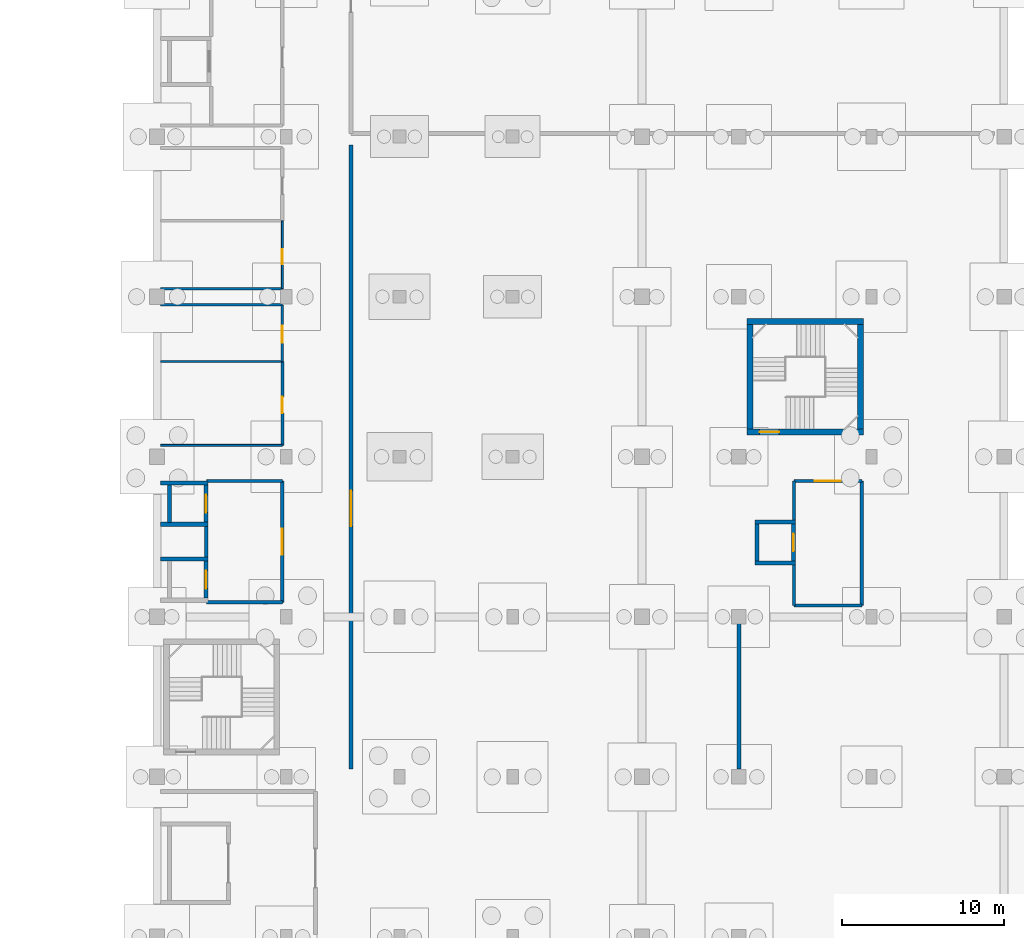
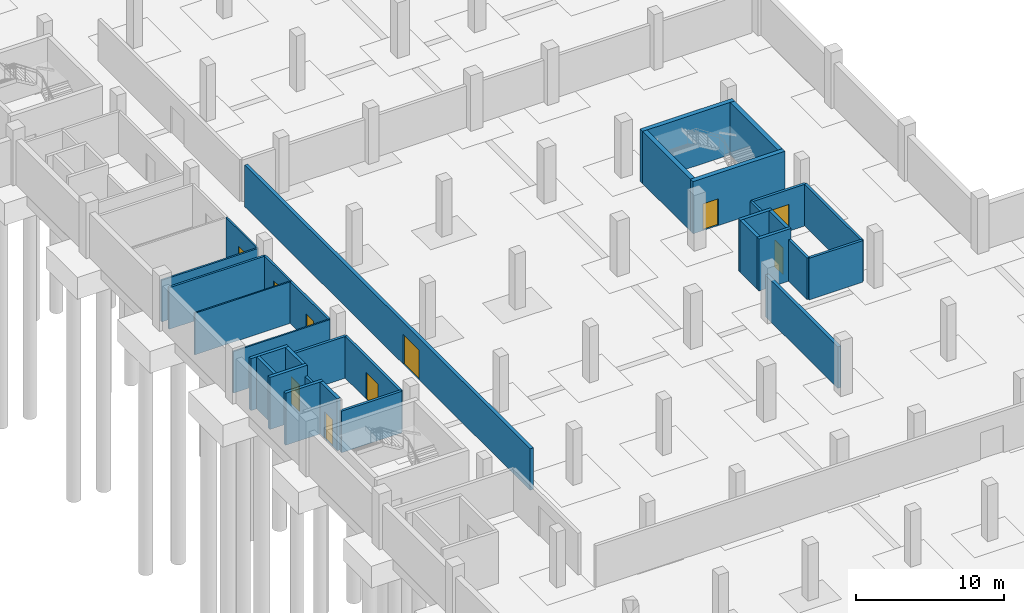
# One storey, part 14 of 30: 32 walls, 10 doors, 10 openings.
"""IFC4 building model written with IfcOpenShell, lengths in metres."""

import ifcopenshell
import ifcopenshell.guid

model = None  # the IFC model being written
_history = None  # IfcOwnerHistory: only IFC2X3 demands one
_inside = {}  # id of a spatial element -> (the spatial element, [elements in it])
_under = {}  # id of a project, library or spatial element -> (it, [spatial elements below it])
_declared = {}  # id of a project -> (the project, [libraries it declares])
_typed = {}  # id of a type object -> (the type object, [elements of that type])
_made_of = {}  # id of a material, layer set ... -> (it, [elements and type objects made of it])


def new_model(schema):
    """Start an empty IFC model of exactly this schema.

    Asked for "IFC4X3", IfcOpenShell would pick the latest addendum, in which some entities
    have other attributes; the version numbers below select the first issue.
    IFC2X3 requires an IfcOwnerHistory on every rooted entity: one is made here for all.
    """
    global model, _history
    if schema == "IFC4X3":
        model = ifcopenshell.file(schema_version=(4, 3, 0, 0))
    else:
        model = ifcopenshell.file(schema=schema)
    _inside.clear()
    _under.clear()
    _declared.clear()
    _typed.clear()
    _made_of.clear()
    _history = None
    if model.schema == "IFC2X3":
        org = make("IfcOrganization", Name="unknown")
        user = make(
            "IfcPersonAndOrganization",
            ThePerson=make("IfcPerson", FamilyName="unknown"),
            TheOrganization=org,
        )
        app = make(
            "IfcApplication",
            ApplicationDeveloper=org,
            Version="unknown",
            ApplicationFullName="unknown",
            ApplicationIdentifier="unknown",
        )
        _history = make(
            "IfcOwnerHistory",
            OwningUser=user,
            OwningApplication=app,
            ChangeAction="ADDED",
            CreationDate=0,
        )
    return model


def make(cls, **values):
    """One entity of the class cls with the attributes given. An attribute that is None is left unset."""
    return model.create_entity(
        cls, **{name: value for name, value in values.items() if value is not None}
    )


def rooted(cls, **values):
    """An entity with a GlobalId (a new one), such as an element, a storey or a relation."""
    return make(cls, GlobalId=ifcopenshell.guid.new(), OwnerHistory=_history, **values)


def si_unit(unit_type, name, prefix=None):
    """IfcSIUnit, for example si_unit("LENGTHUNIT", "METRE", prefix="MILLI")."""
    return make("IfcSIUnit", UnitType=unit_type, Prefix=prefix, Name=name)


def assignment(units):
    """IfcUnitAssignment: the units of a project."""
    return None if units is None else make("IfcUnitAssignment", Units=units)


def point(xyz):
    """IfcCartesianPoint."""
    return None if xyz is None else make("IfcCartesianPoint", Coordinates=xyz)


def direction(xyz):
    """IfcDirection."""
    return None if xyz is None else make("IfcDirection", DirectionRatios=xyz)


def frame(location, z_axis=None, x_axis=None):
    """IfcAxis2Placement3D, a coordinate frame: its origin and axes. An axis left out is left unset."""
    return make(
        "IfcAxis2Placement3D",
        Location=point(location),
        Axis=direction(z_axis),
        RefDirection=direction(x_axis),
    )


def frame_2d(location, x_axis=None):
    """IfcAxis2Placement2D, a coordinate frame in the plane: its origin and x axis."""
    return make(
        "IfcAxis2Placement2D", Location=point(location), RefDirection=direction(x_axis)
    )


def origin():
    """The frame at (0, 0, 0) with its axes left unset."""
    return frame((0.0, 0.0, 0.0))


def place(relative_to, where):
    """IfcLocalPlacement: puts the frame where relative to a parent placement (None: the world)."""
    return make(
        "IfcLocalPlacement", PlacementRelTo=relative_to, RelativePlacement=where
    )


def context(
    kind, dimensions, precision=None, world=None, true_north=None, identifier=None
):
    """IfcGeometricRepresentationContext, for example the 3D "Model" context."""
    return make(
        "IfcGeometricRepresentationContext",
        ContextIdentifier=identifier,
        ContextType=kind,
        CoordinateSpaceDimension=dimensions,
        Precision=precision,
        WorldCoordinateSystem=world,
        TrueNorth=true_north,
    )


def subcontext(parent, identifier, kind, view, scale=None):
    """IfcGeometricRepresentationSubContext, for example "Body" below "Model"."""
    return make(
        "IfcGeometricRepresentationSubContext",
        ContextIdentifier=identifier,
        ContextType=kind,
        ParentContext=parent,
        TargetScale=scale,
        TargetView=view,
    )


def project(units=None, contexts=None):
    """IfcProject with its units and contexts."""
    return rooted(
        "IfcProject",
        Name="project",
        RepresentationContexts=contexts,
        UnitsInContext=assignment(units),
    )


def spatial(cls, under=None, at=None, **own):
    """A site, building, storey or space (cls), placed at a placement, below another one or the project."""
    s = rooted(cls, ObjectPlacement=at, **own)
    if under is not None:
        _under.setdefault(under.id(), (under, []))[1].append(s)
    return s


def profile(cls, at=None, kind="AREA", **sizes):
    """A parametric profile (cls). Its sizes go by their IFC names, for example OverallWidth=200.0."""
    return make(cls, ProfileType=kind, Position=at, **sizes)


def rectangle(**sizes):
    """IfcRectangleProfileDef."""
    return profile("IfcRectangleProfileDef", **sizes)


def extrude(swept, where, along, depth):
    """IfcExtrudedAreaSolid: the profile swept, set in the frame where, extruded along a direction by depth."""
    return make(
        "IfcExtrudedAreaSolid",
        SweptArea=swept,
        Position=where,
        ExtrudedDirection=direction(along),
        Depth=depth,
    )


def shape(context_of_items, identifier, shape_type, items):
    """IfcShapeRepresentation: the items that make up one representation, for example the "Body"."""
    return make(
        "IfcShapeRepresentation",
        ContextOfItems=context_of_items,
        RepresentationIdentifier=identifier,
        RepresentationType=shape_type,
        Items=items,
    )


def material(Name=None, Category=None):
    """IfcMaterial."""
    return make("IfcMaterial", Name=Name, Category=Category)


def layer(
    of_material, thickness, ventilated=None, Name=None, Category=None, Priority=None
):
    """IfcMaterialLayer: one layer of a wall or slab, of a material (None: an air gap)."""
    return make(
        "IfcMaterialLayer",
        Material=of_material,
        LayerThickness=thickness,
        IsVentilated=ventilated,
        Name=Name,
        Category=Category,
        Priority=Priority,
    )


def layer_set(layers, Name=None):
    """IfcMaterialLayerSet."""
    return make("IfcMaterialLayerSet", MaterialLayers=layers, LayerSetName=Name)


def made_of(thing, what):
    """Note that an element or type object is made of a material, layer set ...; save() writes the relation."""
    if what is not None:
        _made_of.setdefault(what.id(), (what, []))[1].append(thing)
    return thing


def type_object(cls, material=None, **own):
    """A type object (cls), such as IfcWallType, which elements share."""
    return made_of(rooted(cls, **own), material)


def element(
    cls,
    number,
    at=None,
    inside=None,
    cuts=None,
    type_object=None,
    material=None,
    context=None,
    identifier="Body",
    shape_type=None,
    held_by="IfcProductDefinitionShape",
    body=None,
    shapes=None,
    **own,
):
    """One element of the class cls, such as IfcWall. Its Tag is "e" and its number.

    at: its placement. inside: the storey or other place that contains it. cuts: it is an
    opening in that element (IfcRelVoidsElement). A single representation is given by context,
    identifier, shape_type and body (its items); several are given by shapes. held_by: the class
    of the entity that holds the representations. save() writes the other relations.
    """
    e = rooted(cls, Tag="e%d" % number, ObjectPlacement=at, **own)
    if body is not None:
        shapes = [shape(context, identifier, shape_type, body)]
    if shapes is not None:
        e.Representation = make(held_by, Representations=shapes)
    if inside is not None:
        _inside.setdefault(inside.id(), (inside, []))[1].append(e)
    if cuts is not None:
        rooted(
            "IfcRelVoidsElement", RelatingBuildingElement=cuts, RelatedOpeningElement=e
        )
    if type_object is not None:
        _typed.setdefault(type_object.id(), (type_object, []))[1].append(e)
    return made_of(e, material)


def fill(opening, filler):
    """IfcRelFillsElement: the door or window that sits in an opening."""
    return rooted(
        "IfcRelFillsElement",
        RelatingOpeningElement=opening,
        RelatedBuildingElement=filler,
    )


def aggregate(whole, parts):
    """IfcRelAggregates: a whole, such as a stair, and the parts it consists of."""
    return rooted("IfcRelAggregates", RelatingObject=whole, RelatedObjects=parts)


def save(model, path):
    """Write the relations noted so far, then the file.

    IfcRelAggregates (storeys below a building ...), IfcRelContainedInSpatialStructure (elements
    in a storey), IfcRelDefinesByType, IfcRelAssociatesMaterial and IfcRelDeclares: one each for
    every whole, place, type object, material and project.
    """
    for whole, parts in _under.values():
        aggregate(whole, parts)
    for where, things in _inside.values():
        rooted(
            "IfcRelContainedInSpatialStructure",
            RelatedElements=things,
            RelatingStructure=where,
        )
    for kind, things in _typed.values():
        rooted("IfcRelDefinesByType", RelatedObjects=things, RelatingType=kind)
    for what, things in _made_of.values():
        rooted("IfcRelAssociatesMaterial", RelatedObjects=things, RelatingMaterial=what)
    for by, libraries in _declared.values():
        rooted("IfcRelDeclares", RelatingContext=by, RelatedDefinitions=libraries)
    model.write(path)


model = new_model("IFC4")

# Units and contexts
model_context = context("Model", 3, precision=1e-05, world=origin(), true_north=direction((0.0, 1.0)))
body_context = subcontext(model_context, "Body", "Model", "MODEL_VIEW")
ifc_project = project(units=[si_unit("LENGTHUNIT", "METRE"), si_unit("AREAUNIT", "SQUARE_METRE"), si_unit("VOLUMEUNIT", "CUBIC_METRE"), si_unit("PLANEANGLEUNIT", "RADIAN"), si_unit("MASSUNIT", "GRAM", prefix="KILO")], contexts=[model_context])

# Site, building, storey
site_placement = place(None, origin())
site = spatial("IfcSite", under=ifc_project, at=site_placement, CompositionType="ELEMENT")
building_placement = place(site_placement, origin())
building = spatial("IfcBuilding", under=site, at=building_placement, Name="Sillaruma Civic Art Gallery", CompositionType="ELEMENT")
storey_placement = place(building_placement, frame((0.0, 0.0, -9.179931640625)))
storey = spatial("IfcBuildingStorey", under=building, at=storey_placement, Name="B02", CompositionType="ELEMENT", Elevation=-9.179931640625)

# Wall, opening, door
ifc_material_1 = material(Name="Concrete H40 (40 MPa)", Category="concrete")
ifc_layer_1 = layer(ifc_material_1, 0.35009765625, Name="Concrete H40 (40 MPa)")
ifc_layer_set_1 = layer_set([ifc_layer_1], Name="Concrete H40 (40 MPa)")
wall_type_1 = type_object("IfcWallType", Name="WAL-CORE-350", PredefinedType="SHEAR", material=ifc_layer_set_1)
wall_1_placement = place(storey_placement, frame((98.510009765625, 51.034912109375, 0.0), z_axis=(0.0, 0.0, 1.0), x_axis=(1.0, 0.0, 0.0)))
wall_1 = element("IfcWall", 1, at=wall_1_placement, inside=storey, type_object=wall_type_1, Name="Stair Core Shear Wall W-CORE-350 (ST-04:B02:S)", PredefinedType="SHEAR", context=body_context, shape_type="SweptSolid", body=[
    extrude(rectangle(XDim=7.179931640625, YDim=0.35009765625, at=frame_2d((3.58984375, 0.0))), origin(), (0.0, 0.0, 1.0), 4.309814453125),
])
opening_1_placement = place(wall_1_placement, frame((0.77001953125, 0.0, 0.0)))
opening_1 = element("IfcOpeningElement", 2, at=opening_1_placement, cuts=wall_1, Name="Opening D-STAIR", PredefinedType="OPENING", context=body_context, shape_type="SweptSolid", body=[
    extrude(rectangle(XDim=1.199951171875, YDim=2.199951171875, at=frame_2d((0.60009765625, 1.10009765625))), frame((0.0, 0.18505859375, 0.0), z_axis=(0.0, -1.0, 0.0), x_axis=(1.0, 0.0, 0.0)), (0.0, 0.0, 1.0), 0.3701171875),
])
ifc_material_2 = material(Name="Galvanised Steel ASTM A653 Gr.50", Category="steel")
door_type_1 = type_object("IfcDoorType", Name="DOR-STAIR-120", OperationType="NOTDEFINED", PredefinedType="DOOR", material=ifc_material_2)
door_1_placement = place(opening_1_placement, origin())
door_1 = element("IfcDoor", 3, at=door_1_placement, inside=storey, type_object=door_type_1, Name="Protected Stair Fire Door (ST-04:B02)", OperationType="SINGLE_SWING_RIGHT", OverallHeight=2.199951171875, OverallWidth=1.199951171875, PredefinedType="DOOR", context=body_context, shape_type="SweptSolid", body=[
    extrude(rectangle(XDim=1.199951171875, YDim=2.199951171875, at=frame_2d((0.60009765625, 1.10009765625))), frame((0.0, 0.02490234375, 0.0), z_axis=(0.0, -1.0, 0.0), x_axis=(1.0, 0.0, 0.0)), (0.0, 0.0, 1.0), 0.050048828125),
])
fill(opening_1, door_1)

# Walls
wall_2_placement = place(storey_placement, frame((98.510009765625, 57.864990234375, 0.0), z_axis=(0.0, 0.0, 1.0), x_axis=(1.0, 0.0, 0.0)))
element("IfcWall", 4, at=wall_2_placement, inside=storey, type_object=wall_type_1, Name="Stair Core Shear Wall W-CORE-350 (ST-04:B02:N)", PredefinedType="SHEAR", context=body_context, shape_type="SweptSolid", body=[
    extrude(rectangle(XDim=7.179931640625, YDim=0.35009765625, at=frame_2d((3.58984375, 0.0))), origin(), (0.0, 0.0, 1.0), 4.309814453125),
])
for number, where, z_axis, x_axis, name in (
    (5, (98.68505859375, 51.2099609375, 0.0), (0.0, 0.0, 1.0), (0.0, 1.0, 0.0), "Stair Core Shear Wall W-CORE-350 (ST-04:B02:W)"),
    (6, (105.514892578125, 51.2099609375, 0.0), (0.0, 0.0, 1.0), (0.0, 1.0, 0.0), "Stair Core Shear Wall W-CORE-350 (ST-04:B02:E)"),
):
    element("IfcWall", number, at=place(storey_placement, frame(where, z_axis=z_axis, x_axis=x_axis)), inside=storey, type_object=wall_type_1, Name=name, PredefinedType="SHEAR", context=body_context, shape_type="SweptSolid", body=[
        extrude(rectangle(XDim=6.47998046875, YDim=0.35009765625, at=frame_2d((3.239990234375, 0.0))), origin(), (0.0, 0.0, 1.0), 4.309814453125),
    ])
ifc_material_3 = material(Name="Concrete Masonry Unit Grade M15", Category="masonry")
ifc_layer_2 = layer(ifc_material_3, 0.199951171875, Name="Concrete Masonry Unit Grade M15")
ifc_layer_set_2 = layer_set([ifc_layer_2], Name="Concrete Masonry Unit Grade M15")
wall_type_2 = type_object("IfcWallType", Name="WAL-LOBBY-200", PredefinedType="SOLIDWALL", material=ifc_layer_set_2)
for number, where, z_axis, x_axis, name in (
    (7, (65.050048828125, 40.5, 0.0), (0.0, 0.0, 1.0), (1.0, 0.0, 0.0), "Interior Wall W-LOBBY-200 (B02-LLW)"),
    (8, (65.050048828125, 48.0, 0.0), (0.0, 0.0, 1.0), (1.0, 0.0, 0.0), "Interior Wall W-LOBBY-200 (B02-LLW)"),
):
    element("IfcWall", number, at=place(storey_placement, frame(where, z_axis=z_axis, x_axis=x_axis)), inside=storey, type_object=wall_type_2, Name=name, PredefinedType="SOLIDWALL", context=body_context, shape_type="SweptSolid", body=[
        extrude(rectangle(XDim=4.699951171875, YDim=0.199951171875, at=frame_2d((2.35009765625, 0.0))), origin(), (0.0, 0.0, 1.0), 3.429931640625),
    ])
wall_3_placement = place(storey_placement, frame((65.050048828125, 43.300048828125, 0.0), z_axis=(0.0, 0.0, 1.0), x_axis=(0.0, 1.0, 0.0)))
element("IfcWall", 9, at=wall_3_placement, inside=storey, type_object=wall_type_2, Name="Interior Wall W-LOBBY-200 (B02-LLW)", PredefinedType="SOLIDWALL", context=body_context, shape_type="SweptSolid", body=[
    extrude(rectangle(XDim=1.89990234375, YDim=0.199951171875, at=frame_2d((0.949951171875, 0.0))), origin(), (0.0, 0.0, 1.0), 3.429931640625),
])

# Wall, opening, door
wall_4_placement = place(storey_placement, frame((69.75, 40.5, 0.0), z_axis=(0.0, 0.0, 1.0), x_axis=(0.0, 1.0, 0.0)))
wall_4 = element("IfcWall", 10, at=wall_4_placement, inside=storey, type_object=wall_type_2, Name="Interior Wall W-LOBBY-200 (B02-LLW)", PredefinedType="SOLIDWALL", context=body_context, shape_type="SweptSolid", body=[
    extrude(rectangle(XDim=7.5, YDim=0.199951171875, at=frame_2d((3.75, 0.0))), origin(), (0.0, 0.0, 1.0), 3.429931640625),
])
opening_2_placement = place(wall_4_placement, frame((2.949951171875, 0.0, 0.0)))
opening_2 = element("IfcOpeningElement", 11, at=opening_2_placement, cuts=wall_4, Name="Opening D-LOBBY", PredefinedType="OPENING", context=body_context, shape_type="SweptSolid", body=[
    extrude(rectangle(XDim=1.60009765625, YDim=2.199951171875, at=frame_2d((0.800048828125, 1.10009765625))), frame((0.0, 0.10986328125, 0.0), z_axis=(0.0, -1.0, 0.0), x_axis=(1.0, 0.0, 0.0)), (0.0, 0.0, 1.0), 0.219970703125),
])
ifc_material_4 = material(Name="Thermally Broken Extruded Aluminium 6063-T6", Category="aluminium")
door_type_2 = type_object("IfcDoorType", Name="DOR-LOBBY-160", OperationType="NOTDEFINED", PredefinedType="DOOR", material=ifc_material_4)
door_2_placement = place(opening_2_placement, origin())
door_2 = element("IfcDoor", 12, at=door_2_placement, inside=storey, type_object=door_type_2, Name="West Lift Lobby Door (D-LOBBY)", OperationType="DOUBLE_DOOR_SINGLE_SWING", OverallHeight=2.199951171875, OverallWidth=1.60009765625, PredefinedType="DOOR", context=body_context, shape_type="SweptSolid", body=[
    extrude(rectangle(XDim=1.60009765625, YDim=2.199951171875, at=frame_2d((0.800048828125, 1.10009765625))), frame((0.0, 0.02490234375, 0.0), z_axis=(0.0, -1.0, 0.0), x_axis=(1.0, 0.0, 0.0)), (0.0, 0.0, 1.0), 0.050048828125),
])
fill(opening_2, door_2)

# Walls
wall_5_placement = place(storey_placement, frame((101.39990234375, 40.300048828125, 0.0), z_axis=(0.0, 0.0, 1.0), x_axis=(1.0, 0.0, 0.0)))
element("IfcWall", 13, at=wall_5_placement, inside=storey, type_object=wall_type_2, Name="Interior Wall W-LOBBY-200 (B02-LLE)", PredefinedType="SOLIDWALL", context=body_context, shape_type="SweptSolid", body=[
    extrude(rectangle(XDim=4.2001953125, YDim=0.199951171875, at=frame_2d((2.10009765625, 0.0))), origin(), (0.0, 0.0, 1.0), 3.429931640625),
])
wall_6_placement = place(storey_placement, frame((101.39990234375, 40.300048828125, 0.0), z_axis=(0.0, 0.0, 1.0), x_axis=(0.0, 1.0, 0.0)))
element("IfcWall", 14, at=wall_6_placement, inside=storey, type_object=wall_type_2, Name="Interior Wall W-LOBBY-200 (B02-LLE)", PredefinedType="SOLIDWALL", context=body_context, shape_type="SweptSolid", body=[
    extrude(rectangle(XDim=2.5, YDim=0.199951171875, at=frame_2d((1.25, 0.0))), origin(), (0.0, 0.0, 1.0), 3.429931640625),
])
wall_7_placement = place(storey_placement, frame((101.39990234375, 45.60009765625, 0.0), z_axis=(0.0, 0.0, 1.0), x_axis=(0.0, 1.0, 0.0)))
element("IfcWall", 15, at=wall_7_placement, inside=storey, type_object=wall_type_2, Name="Interior Wall W-LOBBY-200 (B02-LLE)", PredefinedType="SOLIDWALL", context=body_context, shape_type="SweptSolid", body=[
    extrude(rectangle(XDim=2.39990234375, YDim=0.199951171875, at=frame_2d((1.199951171875, 0.0))), origin(), (0.0, 0.0, 1.0), 3.429931640625),
])
wall_8_placement = place(storey_placement, frame((105.60009765625, 40.300048828125, 0.0), z_axis=(0.0, 0.0, 1.0), x_axis=(0.0, 1.0, 0.0)))
element("IfcWall", 16, at=wall_8_placement, inside=storey, type_object=wall_type_2, Name="Interior Wall W-LOBBY-200 (B02-LLE)", PredefinedType="SOLIDWALL", context=body_context, shape_type="SweptSolid", body=[
    extrude(rectangle(XDim=7.699951171875, YDim=0.199951171875, at=frame_2d((3.85009765625, 0.0))), origin(), (0.0, 0.0, 1.0), 3.429931640625),
])

# Wall, opening, door
wall_9_placement = place(storey_placement, frame((101.39990234375, 48.0, 0.0), z_axis=(0.0, 0.0, 1.0), x_axis=(1.0, 0.0, 0.0)))
wall_9 = element("IfcWall", 17, at=wall_9_placement, inside=storey, type_object=wall_type_2, Name="Interior Wall W-LOBBY-200 (B02-LLE)", PredefinedType="SOLIDWALL", context=body_context, shape_type="SweptSolid", body=[
    extrude(rectangle(XDim=4.2001953125, YDim=0.199951171875, at=frame_2d((2.10009765625, 0.0))), origin(), (0.0, 0.0, 1.0), 3.429931640625),
])
opening_3_placement = place(wall_9_placement, frame((1.300048828125, 0.0, 0.0)))
opening_3 = element("IfcOpeningElement", 18, at=opening_3_placement, cuts=wall_9, Name="Opening D-LOBBY", PredefinedType="OPENING", context=body_context, shape_type="SweptSolid", body=[
    extrude(rectangle(XDim=1.60009765625, YDim=2.199951171875, at=frame_2d((0.800048828125, 1.10009765625))), frame((0.0, 0.10986328125, 0.0), z_axis=(0.0, -1.0, 0.0), x_axis=(1.0, 0.0, 0.0)), (0.0, 0.0, 1.0), 0.219970703125),
])
door_3_placement = place(opening_3_placement, origin())
door_3 = element("IfcDoor", 19, at=door_3_placement, inside=storey, type_object=door_type_2, Name="East Lift Lobby Door (D-LOBBY)", OperationType="DOUBLE_DOOR_SINGLE_SWING", OverallHeight=2.199951171875, OverallWidth=1.60009765625, PredefinedType="DOOR", context=body_context, shape_type="SweptSolid", body=[
    extrude(rectangle(XDim=1.60009765625, YDim=2.199951171875, at=frame_2d((0.800048828125, 1.10009765625))), frame((0.0, 0.02490234375, 0.0), z_axis=(0.0, -1.0, 0.0), x_axis=(1.0, 0.0, 0.0)), (0.0, 0.0, 1.0), 0.050048828125),
])
fill(opening_3, door_3)

# Walls
ifc_material_5 = material(Name="Gypsum Acoustic Board", Category="gypsum")
ifc_layer_3 = layer(ifc_material_5, 0.02490234375, Name="Finish board", Category="gypsum")
ifc_material_6 = material(Name="Mineral Wool Thermal Insulation", Category="insulation")
ifc_layer_4 = layer(ifc_material_6, 0.06005859375, Name="Acoustic core", Category="insulation")
ifc_material_7 = material(Name="Andean Oak Timber", Category="wood")
ifc_layer_5 = layer(ifc_material_7, 0.02490234375, Name="Gallery lining", Category="wood")
ifc_layer_set_3 = layer_set([ifc_layer_3, ifc_layer_4, ifc_layer_5], Name="W-PT-110")
wall_type_3 = type_object("IfcWallType", Name="WAL-PART-110", PredefinedType="PARTITIONING", material=ifc_layer_set_3)
wall_10_placement = place(storey_placement, frame((62.219970703125, 55.39990234375, 0.0), z_axis=(0.0, 0.0, 1.0), x_axis=(1.0, 0.0, 0.0)))
element("IfcWall", 20, at=wall_10_placement, inside=storey, type_object=wall_type_3, Name="Interior Wall W-PT-110 (B02-WC1)", PredefinedType="PARTITIONING", context=body_context, shape_type="SweptSolid", body=[
    extrude(rectangle(XDim=7.530029296875, YDim=0.110107421875, at=frame_2d((3.76513671875, 0.0))), origin(), (0.0, 0.0, 1.0), 3.429931640625),
])
ifc_layer_6 = layer(ifc_material_5, 0.02490234375, Name="Finish board", Category="gypsum")
ifc_layer_7 = layer(ifc_material_6, 0.070068359375, Name="Acoustic core", Category="insulation")
ifc_layer_8 = layer(ifc_material_7, 0.02490234375, Name="Gallery lining", Category="wood")
ifc_layer_set_4 = layer_set([ifc_layer_6, ifc_layer_7, ifc_layer_8], Name="W-PT-120")
wall_type_4 = type_object("IfcWallType", Name="WAL-PART-120", PredefinedType="PARTITIONING", material=ifc_layer_set_4)
wall_11_placement = place(storey_placement, frame((62.219970703125, 50.199951171875, 0.0), z_axis=(0.0, 0.0, 1.0), x_axis=(1.0, 0.0, 0.0)))
element("IfcWall", 21, at=wall_11_placement, inside=storey, type_object=wall_type_4, Name="Interior Wall W-PT-120 (B02-WC1)", PredefinedType="PARTITIONING", context=body_context, shape_type="SweptSolid", body=[
    extrude(rectangle(XDim=7.530029296875, YDim=0.1201171875, at=frame_2d((3.76513671875, 0.0))), origin(), (0.0, 0.0, 1.0), 3.429931640625),
])

# Wall, opening, door
wall_12_placement = place(storey_placement, frame((69.75, 59.89990234375, 0.0), z_axis=(0.0, 0.0, 1.0), x_axis=(0.0, 1.0, 0.0)))
wall_12 = element("IfcWall", 22, at=wall_12_placement, inside=storey, type_object=wall_type_4, Name="Interior Wall W-PT-120 (B02-CLN)", PredefinedType="PARTITIONING", context=body_context, shape_type="SweptSolid", body=[
    extrude(rectangle(XDim=4.2001953125, YDim=0.1201171875, at=frame_2d((2.10009765625, 0.0))), origin(), (0.0, 0.0, 1.0), 3.429931640625),
])
opening_4_placement = place(wall_12_placement, frame((1.5, 0.0, 0.0)))
opening_4 = element("IfcOpeningElement", 23, at=opening_4_placement, cuts=wall_12, Name="Opening D-SVC09", PredefinedType="OPENING", context=body_context, shape_type="SweptSolid", body=[
    extrude(rectangle(XDim=0.949951171875, YDim=2.10009765625, at=frame_2d((0.47509765625, 1.050048828125))), frame((0.0, 0.070068359375, 0.0), z_axis=(0.0, -1.0, 0.0), x_axis=(1.0, 0.0, 0.0)), (0.0, 0.0, 1.0), 0.14013671875),
])
door_type_3 = type_object("IfcDoorType", Name="DOR-SVC-095", OperationType="NOTDEFINED", PredefinedType="DOOR", material=ifc_material_7)
door_4_placement = place(opening_4_placement, origin())
door_4 = element("IfcDoor", 24, at=door_4_placement, inside=storey, type_object=door_type_3, Name="Cleaner Store Door (D-SVC09)", OperationType="SINGLE_SWING_RIGHT", OverallHeight=2.10009765625, OverallWidth=0.949951171875, PredefinedType="DOOR", context=body_context, shape_type="SweptSolid", body=[
    extrude(rectangle(XDim=0.949951171875, YDim=2.10009765625, at=frame_2d((0.47509765625, 1.050048828125))), frame((0.0, 0.02490234375, 0.0), z_axis=(0.0, -1.0, 0.0), x_axis=(1.0, 0.0, 0.0)), (0.0, 0.0, 1.0), 0.050048828125),
])
fill(opening_4, door_4)

# Wall
ifc_layer_9 = layer(ifc_material_5, 0.02490234375, Name="Finish board", Category="gypsum")
ifc_layer_10 = layer(ifc_material_6, 0.090087890625, Name="Acoustic core", Category="insulation")
ifc_layer_11 = layer(ifc_material_7, 0.02490234375, Name="Gallery lining", Category="wood")
ifc_layer_set_5 = layer_set([ifc_layer_9, ifc_layer_10, ifc_layer_11], Name="W-PT-140")
wall_type_5 = type_object("IfcWallType", Name="WAL-PART-140", PredefinedType="PARTITIONING", material=ifc_layer_set_5)
wall_13_placement = place(storey_placement, frame((62.219970703125, 59.89990234375, 0.0), z_axis=(0.0, 0.0, 1.0), x_axis=(1.0, 0.0, 0.0)))
element("IfcWall", 25, at=wall_13_placement, inside=storey, type_object=wall_type_5, Name="Interior Wall W-PT-140 (B02-CLN)", PredefinedType="PARTITIONING", context=body_context, shape_type="SweptSolid", body=[
    extrude(rectangle(XDim=7.530029296875, YDim=0.139892578125, at=frame_2d((3.76513671875, 0.0))), origin(), (0.0, 0.0, 1.0), 3.429931640625),
])

# Wall, opening, door
ifc_layer_12 = layer(ifc_material_5, 0.02490234375, Name="Finish board", Category="gypsum")
ifc_layer_13 = layer(ifc_material_6, 0.10009765625, Name="Acoustic core", Category="insulation")
ifc_layer_14 = layer(ifc_material_7, 0.02490234375, Name="Gallery lining", Category="wood")
ifc_layer_set_6 = layer_set([ifc_layer_12, ifc_layer_13, ifc_layer_14], Name="W-PT-150")
wall_type_6 = type_object("IfcWallType", Name="WAL-PART-150", PredefinedType="PARTITIONING", material=ifc_layer_set_6)
wall_14_placement = place(storey_placement, frame((69.75, 55.39990234375, 0.0), z_axis=(0.0, 0.0, 1.0), x_axis=(0.0, 1.0, 0.0)))
wall_14 = element("IfcWall", 26, at=wall_14_placement, inside=storey, type_object=wall_type_6, Name="Interior Wall W-PT-150 (B02-WCA)", PredefinedType="PARTITIONING", context=body_context, shape_type="SweptSolid", body=[
    extrude(rectangle(XDim=3.5, YDim=0.14990234375, at=frame_2d((1.75, 0.0))), origin(), (0.0, 0.0, 1.0), 3.429931640625),
])
opening_5_placement = place(wall_14_placement, frame((1.14990234375, 0.0, 0.0)))
opening_5 = element("IfcOpeningElement", 27, at=opening_5_placement, cuts=wall_14, Name="Opening D-AWC10", PredefinedType="OPENING", context=body_context, shape_type="SweptSolid", body=[
    extrude(rectangle(XDim=1.050048828125, YDim=2.14990234375, at=frame_2d((0.52490234375, 1.074951171875))), frame((0.0, 0.0849609375, 0.0), z_axis=(0.0, -1.0, 0.0), x_axis=(1.0, 0.0, 0.0)), (0.0, 0.0, 1.0), 0.169921875),
])
door_type_4 = type_object("IfcDoorType", Name="DOR-AWC-105", OperationType="NOTDEFINED", PredefinedType="DOOR", material=ifc_material_7)
door_5_placement = place(opening_5_placement, origin())
door_5 = element("IfcDoor", 28, at=door_5_placement, inside=storey, type_object=door_type_4, Name="Accessible WC Door (D-AWC10)", OperationType="SINGLE_SWING_LEFT", OverallHeight=2.14990234375, OverallWidth=1.050048828125, PredefinedType="DOOR", context=body_context, shape_type="SweptSolid", body=[
    extrude(rectangle(XDim=1.050048828125, YDim=2.14990234375, at=frame_2d((0.52490234375, 1.074951171875))), frame((0.0, 0.02490234375, 0.0), z_axis=(0.0, -1.0, 0.0), x_axis=(1.0, 0.0, 0.0)), (0.0, 0.0, 1.0), 0.050048828125),
])
fill(opening_5, door_5)

# Wall
ifc_layer_15 = layer(ifc_material_5, 0.02490234375, Name="Finish board", Category="gypsum")
ifc_layer_16 = layer(ifc_material_6, 0.114990234375, Name="Acoustic core", Category="insulation")
ifc_layer_17 = layer(ifc_material_7, 0.02490234375, Name="Gallery lining", Category="wood")
ifc_layer_set_7 = layer_set([ifc_layer_15, ifc_layer_16, ifc_layer_17], Name="W-PT-165")
wall_type_7 = type_object("IfcWallType", Name="WAL-PART-165", PredefinedType="PARTITIONING", material=ifc_layer_set_7)
wall_15_placement = place(storey_placement, frame((62.219970703125, 58.89990234375, 0.0), z_axis=(0.0, 0.0, 1.0), x_axis=(1.0, 0.0, 0.0)))
element("IfcWall", 29, at=wall_15_placement, inside=storey, type_object=wall_type_7, Name="Interior Wall W-PT-165 (B02-WCA)", PredefinedType="PARTITIONING", context=body_context, shape_type="SweptSolid", body=[
    extrude(rectangle(XDim=7.530029296875, YDim=0.1650390625, at=frame_2d((3.76513671875, 0.0))), origin(), (0.0, 0.0, 1.0), 3.429931640625),
])

# Wall, opening, door
ifc_layer_18 = layer(ifc_material_5, 0.02490234375, Name="Finish board", Category="gypsum")
ifc_layer_19 = layer(ifc_material_6, 0.1298828125, Name="Acoustic core", Category="insulation")
ifc_layer_20 = layer(ifc_material_7, 0.02490234375, Name="Gallery lining", Category="wood")
ifc_layer_set_8 = layer_set([ifc_layer_18, ifc_layer_19, ifc_layer_20], Name="W-PT-180")
wall_type_8 = type_object("IfcWallType", Name="WAL-PART-180", PredefinedType="PARTITIONING", material=ifc_layer_set_8)
wall_16_placement = place(storey_placement, frame((69.75, 50.199951171875, 0.0), z_axis=(0.0, 0.0, 1.0), x_axis=(0.0, 1.0, 0.0)))
wall_16 = element("IfcWall", 30, at=wall_16_placement, inside=storey, type_object=wall_type_8, Name="Interior Wall W-PT-180 (B02-WC1)", PredefinedType="PARTITIONING", context=body_context, shape_type="SweptSolid", body=[
    extrude(rectangle(XDim=5.199951171875, YDim=0.179931640625, at=frame_2d((2.60009765625, 0.0))), origin(), (0.0, 0.0, 1.0), 3.429931640625),
])
opening_6_placement = place(wall_16_placement, frame((2.0, 0.0, 0.0)))
opening_6 = element("IfcOpeningElement", 31, at=opening_6_placement, cuts=wall_16, Name="Opening D-WC10", PredefinedType="OPENING", context=body_context, shape_type="SweptSolid", body=[
    extrude(rectangle(XDim=1.0, YDim=2.10009765625, at=frame_2d((0.5, 1.050048828125))), frame((0.0, 0.099853515625, 0.0), z_axis=(0.0, -1.0, 0.0), x_axis=(1.0, 0.0, 0.0)), (0.0, 0.0, 1.0), 0.199951171875),
])
door_type_5 = type_object("IfcDoorType", Name="DOR-WC-100", OperationType="NOTDEFINED", PredefinedType="DOOR", material=ifc_material_7)
door_6_placement = place(opening_6_placement, origin())
door_6 = element("IfcDoor", 32, at=door_6_placement, inside=storey, type_object=door_type_5, Name="Public WC Door (D-WC10)", OperationType="SINGLE_SWING_RIGHT", OverallHeight=2.10009765625, OverallWidth=1.0, PredefinedType="DOOR", context=body_context, shape_type="SweptSolid", body=[
    extrude(rectangle(XDim=1.0, YDim=2.10009765625, at=frame_2d((0.5, 1.050048828125))), frame((0.0, 0.02490234375, 0.0), z_axis=(0.0, -1.0, 0.0), x_axis=(1.0, 0.0, 0.0)), (0.0, 0.0, 1.0), 0.050048828125),
])
fill(opening_6, door_6)

# Wall
ifc_layer_21 = layer(ifc_material_1, 0.25, Name="Concrete H40 (40 MPa)")
ifc_layer_set_9 = layer_set([ifc_layer_21], Name="Concrete H40 (40 MPa)")
wall_type_9 = type_object("IfcWallType", Name="WAL-SHAFT-250", PredefinedType="SOLIDWALL", material=ifc_layer_set_9)
wall_17_placement = place(storey_placement, frame((62.219970703125, 43.175048828125, 0.0), z_axis=(0.0, 0.0, 1.0), x_axis=(1.0, 0.0, 0.0)))
element("IfcWall", 33, at=wall_17_placement, inside=storey, type_object=wall_type_9, Name="Lift Shaft Wall W-SHAFT-250 (PL-01:B02:N)", PredefinedType="SOLIDWALL", context=body_context, shape_type="SweptSolid", body=[
    extrude(rectangle(XDim=2.929931640625, YDim=0.25, at=frame_2d((1.46484375, 0.0))), origin(), (0.0, 0.0, 1.0), 4.2900390625),
])

# Wall, opening, door
wall_18_placement = place(storey_placement, frame((65.02490234375, 40.75, 0.0), z_axis=(0.0, 0.0, 1.0), x_axis=(0.0, 1.0, 0.0)))
wall_18 = element("IfcWall", 34, at=wall_18_placement, inside=storey, type_object=wall_type_9, Name="Lift Shaft Wall W-SHAFT-250 (PL-01:B02:E)", PredefinedType="SOLIDWALL", context=body_context, shape_type="SweptSolid", body=[
    extrude(rectangle(XDim=2.300048828125, YDim=0.25, at=frame_2d((1.14990234375, 0.0))), origin(), (0.0, 0.0, 1.0), 4.2900390625),
])
opening_7_placement = place(wall_18_placement, frame((0.60009765625, 0.0, 0.0)))
opening_7 = element("IfcOpeningElement", 35, at=opening_7_placement, cuts=wall_18, Name="Opening LD-01", PredefinedType="OPENING", context=body_context, shape_type="SweptSolid", body=[
    extrude(rectangle(XDim=1.10009765625, YDim=2.199951171875, at=frame_2d((0.550048828125, 1.10009765625))), frame((0.0, 0.135009765625, 0.0), z_axis=(0.0, -1.0, 0.0), x_axis=(1.0, 0.0, 0.0)), (0.0, 0.0, 1.0), 0.27001953125),
])
door_type_6 = type_object("IfcDoorType", Name="DOR-LD-01", OperationType="NOTDEFINED", PredefinedType="DOOR", material=ifc_material_2)
door_7_placement = place(opening_7_placement, origin())
door_7 = element("IfcDoor", 36, at=door_7_placement, inside=storey, type_object=door_type_6, Name="Lift Sliding Landing Door LD-01 (PL-01:B02)", OperationType="DOUBLE_DOOR_SLIDING", OverallHeight=2.199951171875, OverallWidth=1.10009765625, PredefinedType="DOOR", context=body_context, shape_type="SweptSolid", body=[
    extrude(rectangle(XDim=1.10009765625, YDim=2.199951171875, at=frame_2d((0.550048828125, 1.10009765625))), frame((0.0, 0.02490234375, 0.0), z_axis=(0.0, -1.0, 0.0), x_axis=(1.0, 0.0, 0.0)), (0.0, 0.0, 1.0), 0.050048828125),
])
fill(opening_7, door_7)

# Walls
for number, where, z_axis, x_axis, name in (
    (37, (62.219970703125, 45.324951171875, 0.0), (0.0, 0.0, 1.0), (1.0, 0.0, 0.0), "Lift Shaft Wall W-SHAFT-250 (PL-02:B02:S)"),
    (38, (62.219970703125, 47.875, 0.0), (0.0, 0.0, 1.0), (1.0, 0.0, 0.0), "Lift Shaft Wall W-SHAFT-250 (PL-02:B02:N)"),
):
    element("IfcWall", number, at=place(storey_placement, frame(where, z_axis=z_axis, x_axis=x_axis)), inside=storey, type_object=wall_type_9, Name=name, PredefinedType="SOLIDWALL", context=body_context, shape_type="SweptSolid", body=[
        extrude(rectangle(XDim=2.929931640625, YDim=0.25, at=frame_2d((1.46484375, 0.0))), origin(), (0.0, 0.0, 1.0), 4.2900390625),
    ])
wall_19_placement = place(storey_placement, frame((62.77490234375, 45.449951171875, 0.0), z_axis=(0.0, 0.0, 1.0), x_axis=(0.0, 1.0, 0.0)))
element("IfcWall", 39, at=wall_19_placement, inside=storey, type_object=wall_type_9, Name="Lift Shaft Wall W-SHAFT-250 (PL-02:B02:W)", PredefinedType="SOLIDWALL", context=body_context, shape_type="SweptSolid", body=[
    extrude(rectangle(XDim=2.300048828125, YDim=0.25, at=frame_2d((1.14990234375, 0.0))), origin(), (0.0, 0.0, 1.0), 4.2900390625),
])

# Wall, opening, door
wall_20_placement = place(storey_placement, frame((65.02490234375, 45.449951171875, 0.0), z_axis=(0.0, 0.0, 1.0), x_axis=(0.0, 1.0, 0.0)))
wall_20 = element("IfcWall", 40, at=wall_20_placement, inside=storey, type_object=wall_type_9, Name="Lift Shaft Wall W-SHAFT-250 (PL-02:B02:E)", PredefinedType="SOLIDWALL", context=body_context, shape_type="SweptSolid", body=[
    extrude(rectangle(XDim=2.300048828125, YDim=0.25, at=frame_2d((1.14990234375, 0.0))), origin(), (0.0, 0.0, 1.0), 4.2900390625),
])
opening_8_placement = place(wall_20_placement, frame((0.60009765625, 0.0, 0.0)))
opening_8 = element("IfcOpeningElement", 41, at=opening_8_placement, cuts=wall_20, Name="Opening LD-01", PredefinedType="OPENING", context=body_context, shape_type="SweptSolid", body=[
    extrude(rectangle(XDim=1.10009765625, YDim=2.199951171875, at=frame_2d((0.550048828125, 1.10009765625))), frame((0.0, 0.135009765625, 0.0), z_axis=(0.0, -1.0, 0.0), x_axis=(1.0, 0.0, 0.0)), (0.0, 0.0, 1.0), 0.27001953125),
])
door_8_placement = place(opening_8_placement, origin())
door_8 = element("IfcDoor", 42, at=door_8_placement, inside=storey, type_object=door_type_6, Name="Lift Sliding Landing Door LD-01 (PL-02:B02)", OperationType="DOUBLE_DOOR_SLIDING", OverallHeight=2.199951171875, OverallWidth=1.10009765625, PredefinedType="DOOR", context=body_context, shape_type="SweptSolid", body=[
    extrude(rectangle(XDim=1.10009765625, YDim=2.199951171875, at=frame_2d((0.550048828125, 1.10009765625))), frame((0.0, 0.02490234375, 0.0), z_axis=(0.0, -1.0, 0.0), x_axis=(1.0, 0.0, 0.0)), (0.0, 0.0, 1.0), 0.050048828125),
])
fill(opening_8, door_8)

# Walls
for number, where, z_axis, x_axis, name in (
    (43, (99.0, 42.925048828125, 0.0), (0.0, 0.0, 1.0), (1.0, 0.0, 0.0), "Lift Shaft Wall W-SHAFT-250 (PL-03:B02:S)"),
    (44, (99.0, 45.47509765625, 0.0), (0.0, 0.0, 1.0), (1.0, 0.0, 0.0), "Lift Shaft Wall W-SHAFT-250 (PL-03:B02:N)"),
):
    element("IfcWall", number, at=place(storey_placement, frame(where, z_axis=z_axis, x_axis=x_axis)), inside=storey, type_object=wall_type_9, Name=name, PredefinedType="SOLIDWALL", context=body_context, shape_type="SweptSolid", body=[
        extrude(rectangle(XDim=2.5, YDim=0.25, at=frame_2d((1.25, 0.0))), origin(), (0.0, 0.0, 1.0), 4.2900390625),
    ])
wall_21_placement = place(storey_placement, frame((99.125, 43.050048828125, 0.0), z_axis=(0.0, 0.0, 1.0), x_axis=(0.0, 1.0, 0.0)))
element("IfcWall", 45, at=wall_21_placement, inside=storey, type_object=wall_type_9, Name="Lift Shaft Wall W-SHAFT-250 (PL-03:B02:W)", PredefinedType="SOLIDWALL", context=body_context, shape_type="SweptSolid", body=[
    extrude(rectangle(XDim=2.300048828125, YDim=0.25, at=frame_2d((1.14990234375, 0.0))), origin(), (0.0, 0.0, 1.0), 4.2900390625),
])

# Wall, opening, door
wall_22_placement = place(storey_placement, frame((101.375, 43.050048828125, 0.0), z_axis=(0.0, 0.0, 1.0), x_axis=(0.0, 1.0, 0.0)))
wall_22 = element("IfcWall", 46, at=wall_22_placement, inside=storey, type_object=wall_type_9, Name="Lift Shaft Wall W-SHAFT-250 (PL-03:B02:E)", PredefinedType="SOLIDWALL", context=body_context, shape_type="SweptSolid", body=[
    extrude(rectangle(XDim=2.300048828125, YDim=0.25, at=frame_2d((1.14990234375, 0.0))), origin(), (0.0, 0.0, 1.0), 4.2900390625),
])
opening_9_placement = place(wall_22_placement, frame((0.60009765625, 0.0, 0.0)))
opening_9 = element("IfcOpeningElement", 47, at=opening_9_placement, cuts=wall_22, Name="Opening LD-01", PredefinedType="OPENING", context=body_context, shape_type="SweptSolid", body=[
    extrude(rectangle(XDim=1.10009765625, YDim=2.199951171875, at=frame_2d((0.550048828125, 1.10009765625))), frame((0.0, 0.135009765625, 0.0), z_axis=(0.0, -1.0, 0.0), x_axis=(1.0, 0.0, 0.0)), (0.0, 0.0, 1.0), 0.27001953125),
])
door_9_placement = place(opening_9_placement, origin())
door_9 = element("IfcDoor", 48, at=door_9_placement, inside=storey, type_object=door_type_6, Name="Lift Sliding Landing Door LD-01 (PL-03:B02)", OperationType="DOUBLE_DOOR_SLIDING", OverallHeight=2.199951171875, OverallWidth=1.10009765625, PredefinedType="DOOR", context=body_context, shape_type="SweptSolid", body=[
    extrude(rectangle(XDim=1.10009765625, YDim=2.199951171875, at=frame_2d((0.550048828125, 1.10009765625))), frame((0.0, 0.02490234375, 0.0), z_axis=(0.0, -1.0, 0.0), x_axis=(1.0, 0.0, 0.0)), (0.0, 0.0, 1.0), 0.050048828125),
])
fill(opening_9, door_9)

ifc_layer_22 = layer(ifc_material_3, 0.2548828125, Name="Concrete Masonry Unit Grade M15")
ifc_layer_set_10 = layer_set([ifc_layer_22], Name="Concrete Masonry Unit Grade M15")
wall_type_10 = type_object("IfcWallType", Name="WAL-STORE-250", PredefinedType="SOLIDWALL", material=ifc_layer_set_10)
wall_23_placement = place(storey_placement, frame((74.0, 30.199951171875, 0.0), z_axis=(0.0, 0.0, 1.0), x_axis=(0.0, 1.0, 0.0)))
wall_23 = element("IfcWall", 49, at=wall_23_placement, inside=storey, type_object=wall_type_10, Name="Interior Wall W-STORE-250 (B02-STRC1)", PredefinedType="SOLIDWALL", context=body_context, shape_type="SweptSolid", body=[
    extrude(rectangle(XDim=38.60009765625, YDim=0.2548828125, at=frame_2d((19.300048828125, 0.0))), origin(), (0.0, 0.0, 1.0), 3.429931640625),
])
opening_10_placement = place(wall_23_placement, frame((15.0, 0.0, 0.0)))
opening_10 = element("IfcOpeningElement", 50, at=opening_10_placement, cuts=wall_23, Name="Opening D-STR22", PredefinedType="OPENING", context=body_context, shape_type="SweptSolid", body=[
    extrude(rectangle(XDim=2.199951171875, YDim=2.449951171875, at=frame_2d((1.10009765625, 1.22509765625))), frame((0.0, 0.137451171875, 0.0), z_axis=(0.0, -1.0, 0.0), x_axis=(1.0, 0.0, 0.0)), (0.0, 0.0, 1.0), 0.27490234375),
])
door_type_7 = type_object("IfcDoorType", Name="DOR-STORE-220", OperationType="NOTDEFINED", PredefinedType="DOOR", material=ifc_material_2)
door_10_placement = place(opening_10_placement, origin())
door_10 = element("IfcDoor", 51, at=door_10_placement, inside=storey, type_object=door_type_7, Name="Sculpture Collection Art Store Door (D-STR22)", OperationType="DOUBLE_DOOR_SINGLE_SWING", OverallHeight=2.449951171875, OverallWidth=2.199951171875, PredefinedType="DOOR", context=body_context, shape_type="SweptSolid", body=[
    extrude(rectangle(XDim=2.199951171875, YDim=2.449951171875, at=frame_2d((1.10009765625, 1.22509765625))), frame((0.0, 0.02490234375, 0.0), z_axis=(0.0, -1.0, 0.0), x_axis=(1.0, 0.0, 0.0)), (0.0, 0.0, 1.0), 0.050048828125),
])
fill(opening_10, door_10)

# Wall
wall_24_placement = place(storey_placement, frame((98.0, 30.199951171875, 0.0), z_axis=(0.0, 0.0, 1.0), x_axis=(0.0, 1.0, 0.0)))
element("IfcWall", 52, at=wall_24_placement, inside=storey, type_object=wall_type_10, Name="Interior Wall W-STORE-250 (B02-STRC1)", PredefinedType="SOLIDWALL", context=body_context, shape_type="SweptSolid", body=[
    extrude(rectangle(XDim=9.800048828125, YDim=0.2548828125, at=frame_2d((4.89990234375, 0.0))), origin(), (0.0, 0.0, 1.0), 3.429931640625),
])

save(model, "model.ifc")
